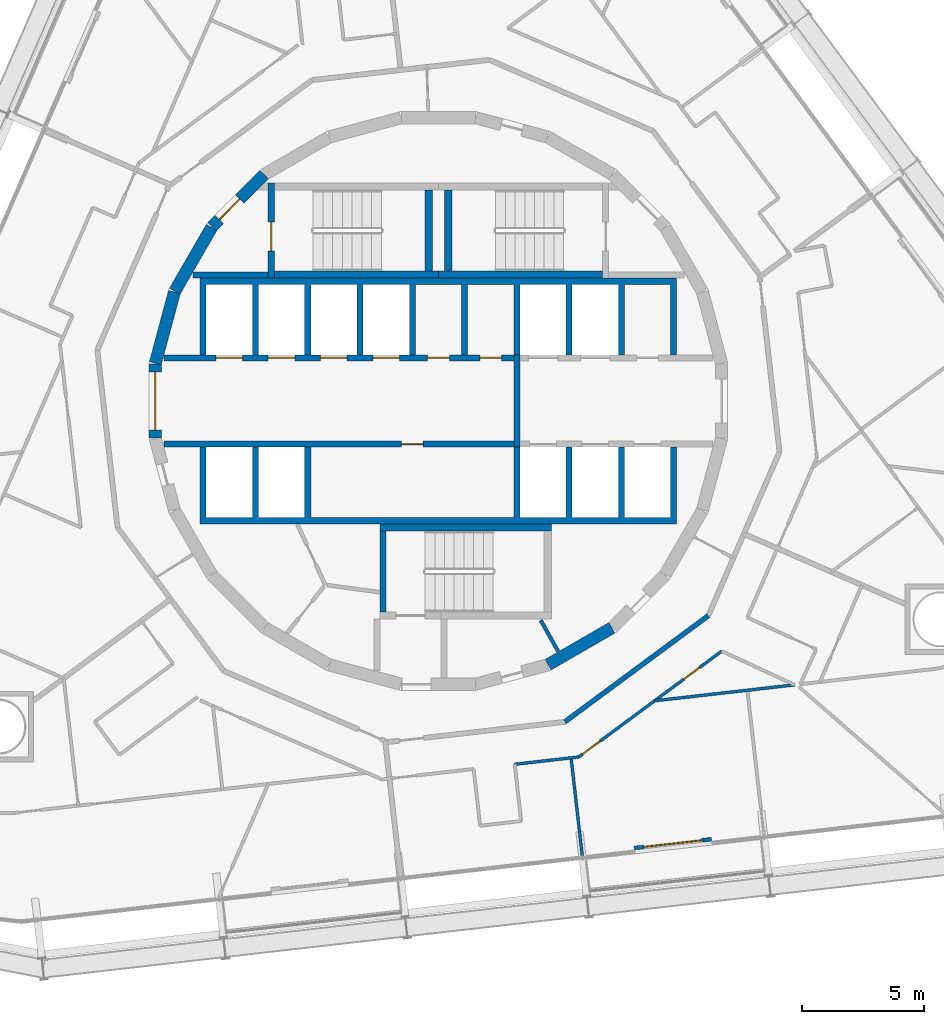
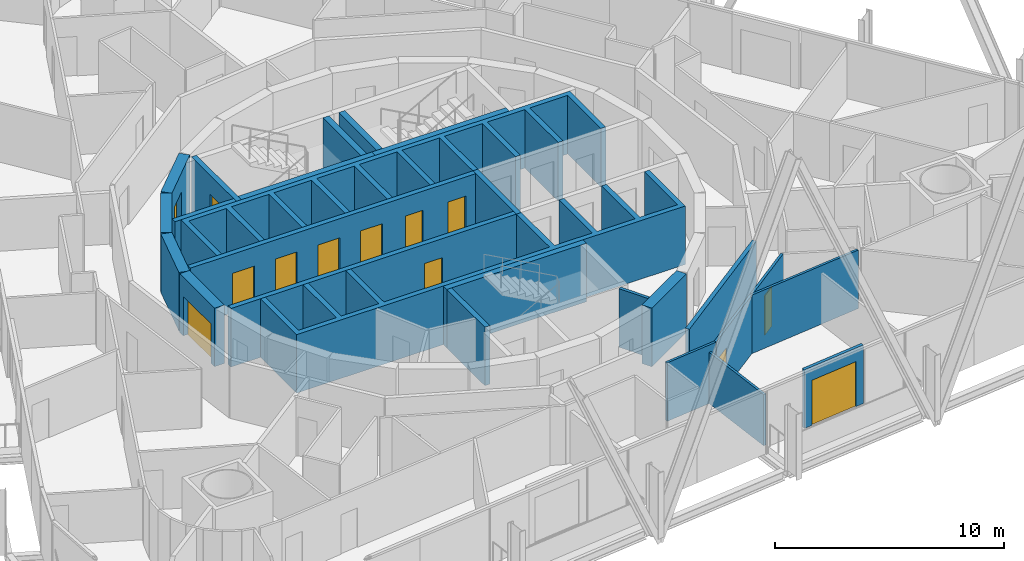
# One storey, part 18 of 23: 25 walls, 13 doors, 13 openings.
"""IFC4 building model written with IfcOpenShell, lengths in metres."""

from ifc_helpers import new_model, si_unit, direction, frame, frame_2d, origin, place, context, subcontext, project, spatial, polyline, rectangle, outline, extrude, material, layer, layer_set, type_object, element, fill, save


model = new_model("IFC4")

# Units and contexts
model_context = context("Model", 3, precision=1e-05, world=origin(), true_north=direction((0.0, 1.0)))
body_context = subcontext(model_context, "Body", "Model", "MODEL_VIEW")
ifc_project = project(units=[si_unit("LENGTHUNIT", "METRE"), si_unit("AREAUNIT", "SQUARE_METRE"), si_unit("VOLUMEUNIT", "CUBIC_METRE"), si_unit("PLANEANGLEUNIT", "RADIAN"), si_unit("MASSUNIT", "GRAM", prefix="KILO")], contexts=[model_context])

# Site, building, storey
site_placement = place(None, origin())
site = spatial("IfcSite", under=ifc_project, at=site_placement, CompositionType="ELEMENT")
building_placement = place(site_placement, origin())
building = spatial("IfcBuilding", under=site, at=building_placement, Name="Spindle Arch Residences", CompositionType="ELEMENT")
storey_placement = place(building_placement, frame((0.0, 0.0, 90.699951171875)))
storey = spatial("IfcBuildingStorey", under=building, at=storey_placement, Name="L21", CompositionType="ELEMENT", Elevation=90.699951171875)

# Wall
ifc_material_1 = material(Name="Concrete C50/60", Category="concrete")
ifc_layer_1 = layer(ifc_material_1, 0.5)
ifc_layer_set_1 = layer_set([ifc_layer_1], Name="Core outline wall 500")
wall_type_1 = type_object("IfcWallType", Name="Core outline wall 500", PredefinedType="SHEAR", material=ifc_layer_set_1)
wall_1_placement = place(storey_placement, frame((4.510498046875, -10.84521484375, 0.0), z_axis=(0.0, 0.0, 1.0), x_axis=(0.865975092491, 0.500087131594, 0.0)))
element("IfcWall", 1, at=wall_1_placement, inside=storey, type_object=wall_type_1, Name="Core outline wall 2", PredefinedType="SHEAR", context=body_context, shape_type="SweptSolid", body=[
    extrude(rectangle(XDim=3.03271484375, YDim=0.5, at=frame_2d((1.516357421875, 0.0))), origin(), (0.0, 0.0, 1.0), 3.1201171875),
])

# Wall, opening, door
wall_2_placement = place(storey_placement, frame((-7.163818359375, 9.30810546875, 0.0), z_axis=(0.0, 0.0, 1.0), x_axis=(-0.707106781187, -0.707106781187, 0.0)))
wall_2 = element("IfcWall", 2, at=wall_2_placement, inside=storey, type_object=wall_type_1, Name="Core outline wall 15", PredefinedType="SHEAR", context=body_context, shape_type="SweptSolid", body=[
    extrude(rectangle(XDim=3.032470703125, YDim=0.5, at=frame_2d((1.51611328125, 0.0))), origin(), (0.0, 0.0, 1.0), 3.1201171875),
])
opening_1_placement = place(wall_2_placement, frame((1.416259765625, 0.0, 0.0)))
opening_1 = element("IfcOpeningElement", 3, at=opening_1_placement, cuts=wall_2, Name="Opening R2B0-AD02", PredefinedType="OPENING", context=body_context, shape_type="SweptSolid", body=[
    extrude(rectangle(XDim=1.199951171875, YDim=2.10009765625, at=frame_2d((0.60009765625, 1.050048828125))), frame((0.0, 0.260009765625, 0.0), z_axis=(0.0, -1.0, 0.0), x_axis=(1.0, 0.0, 0.0)), (0.0, 0.0, 1.0), 0.52001953125),
])
ifc_material_2 = material(Name="Steel, fire-resisting door", Category="steel")
door_type_1 = type_object("IfcDoorType", Name="Stair airlock door 1200x2100", OperationType="SINGLE_SWING_LEFT", PredefinedType="DOOR", material=ifc_material_2)
door_1_placement = place(opening_1_placement, origin())
door_1 = element("IfcDoor", 4, at=door_1_placement, inside=storey, type_object=door_type_1, Name="Stair airlock door R2B0-AD02", OperationType="SINGLE_SWING_RIGHT", OverallHeight=2.10009765625, OverallWidth=1.199951171875, PredefinedType="DOOR", context=body_context, shape_type="SweptSolid", body=[
    extrude(rectangle(XDim=1.199951171875, YDim=2.10009765625, at=frame_2d((0.60009765625, 1.050048828125))), frame((0.0, 0.02490234375, 0.0), z_axis=(0.0, -1.0, 0.0), x_axis=(1.0, 0.0, 0.0)), (0.0, 0.0, 1.0), 0.050048828125),
])
fill(opening_1, door_1)

# Walls
for number, where, z_axis, x_axis, name in (
    (5, (-9.32861328125, 7.13671875, 0.0), (0.0, 0.0, 1.0), (-0.500087131594, -0.865975092491, 0.0), "Core outline wall 16"),
    (6, (-10.858154296875, 4.479248046875, 0.0), (0.0, 0.0, 1.0), (-0.258734743916, -0.965948410781, 0.0), "Core outline wall 17"),
):
    element("IfcWall", number, at=place(storey_placement, frame(where, z_axis=z_axis, x_axis=x_axis)), inside=storey, type_object=wall_type_1, Name=name, PredefinedType="SHEAR", context=body_context, shape_type="SweptSolid", body=[
        extrude(rectangle(XDim=3.03271484375, YDim=0.5, at=frame_2d((1.516357421875, 0.0))), origin(), (0.0, 0.0, 1.0), 3.1201171875),
    ])

# Wall, opening, door
wall_3_placement = place(storey_placement, frame((-11.647216796875, 1.516357421875, 0.0), z_axis=(0.0, 0.0, 1.0), x_axis=(0.0, -1.0, 0.0)))
wall_3 = element("IfcWall", 7, at=wall_3_placement, inside=storey, type_object=wall_type_1, Name="Core outline wall 18", PredefinedType="SHEAR", context=body_context, shape_type="SweptSolid", body=[
    extrude(rectangle(XDim=3.03271484375, YDim=0.5, at=frame_2d((1.516357421875, 0.0))), origin(), (0.0, 0.0, 1.0), 3.1201171875),
])
opening_2_placement = place(wall_3_placement, frame((0.31640625, 0.0, 0.0)))
opening_2 = element("IfcOpeningElement", 8, at=opening_2_placement, cuts=wall_3, Name="Opening R2B0-LE01", PredefinedType="OPENING", context=body_context, shape_type="SweptSolid", body=[
    extrude(rectangle(XDim=2.39990234375, YDim=2.10009765625, at=frame_2d((1.199951171875, 1.050048828125))), frame((0.0, 0.260009765625, 0.0), z_axis=(0.0, -1.0, 0.0), x_axis=(1.0, 0.0, 0.0)), (0.0, 0.0, 1.0), 0.52001953125),
])
ifc_material_3 = material(Name="Steel, fire-resisting door", Category="steel")
door_type_2 = type_object("IfcDoorType", Name="Lift lobby entrance door 2400x2100", OperationType="DOUBLE_DOOR_SINGLE_SWING", PredefinedType="DOOR", material=ifc_material_3)
door_2_placement = place(opening_2_placement, origin())
door_2 = element("IfcDoor", 9, at=door_2_placement, inside=storey, type_object=door_type_2, Name="Lift lobby entrance door R2B0-LE01", OperationType="DOUBLE_DOOR_SINGLE_SWING", OverallHeight=2.10009765625, OverallWidth=2.39990234375, PredefinedType="DOOR", context=body_context, shape_type="SweptSolid", body=[
    extrude(rectangle(XDim=2.39990234375, YDim=2.10009765625, at=frame_2d((1.199951171875, 1.050048828125))), frame((0.0, 0.02490234375, 0.0), z_axis=(0.0, -1.0, 0.0), x_axis=(1.0, 0.0, 0.0)), (0.0, 0.0, 1.0), 0.050048828125),
])
fill(opening_2, door_2)

# Walls
ifc_material_4 = material(Name="Calcium silicate block, plastered")
ifc_layer_2 = layer(ifc_material_4, 0.199951171875)
ifc_layer_set_2 = layer_set([ifc_layer_2], Name="Corridor wall 200")
wall_type_2 = type_object("IfcWallType", Name="Corridor wall 200", PredefinedType="STANDARD", material=ifc_layer_set_2)
wall_4_placement = place(storey_placement, frame((5.1982421875, -13.1962890625, 0.0), z_axis=(0.0, 0.0, 1.0), x_axis=(0.803869883159, 0.594805187394, 0.0)))
element("IfcWall", 10, at=wall_4_placement, inside=storey, type_object=wall_type_2, Name="Corridor wall R2B0-W015", PredefinedType="STANDARD", context=body_context, shape_type="SweptSolid", body=[
    extrude(rectangle(XDim=7.341796875, YDim=0.199951171875, at=frame_2d((3.6708984375, 0.0))), origin(), (0.0, 0.0, 1.0), 3.1201171875),
])
ifc_material_5 = material(Name="Concrete C40/50", Category="concrete")
ifc_layer_3 = layer(ifc_material_5, 0.25)
ifc_layer_set_3 = layer_set([ifc_layer_3], Name="Fire-lift lobby wall 250")
wall_type_3 = type_object("IfcWallType", Name="Fire-lift lobby wall 250", PredefinedType="SHEAR", material=ifc_layer_set_3)
wall_5_placement = place(storey_placement, frame((3.22509765625, -1.89990234375, 0.0), z_axis=(0.0, 0.0, 1.0), x_axis=(0.0, 1.0, 0.0)))
element("IfcWall", 11, at=wall_5_placement, inside=storey, type_object=wall_type_3, Name="Fire-fighting lobby partition", PredefinedType="SHEAR", context=body_context, shape_type="SweptSolid", body=[
    extrude(rectangle(XDim=3.7998046875, YDim=0.25, at=frame_2d((1.89990234375, 0.0))), origin(), (0.0, 0.0, 1.0), 3.1201171875),
])
ifc_material_6 = material(Name="Plasterboard on steel studs", Category="steel")
ifc_layer_4 = layer(ifc_material_6, 0.1201171875)
ifc_layer_set_4 = layer_set([ifc_layer_4], Name="Flat partition 120")
wall_type_4 = type_object("IfcWallType", Name="Flat partition 120", PredefinedType="PARTITIONING", material=ifc_layer_set_4)
wall_6_placement = place(storey_placement, frame((3.1376953125, -14.94091796875, 0.0), z_axis=(0.0, 0.0, 1.0), x_axis=(0.99356355736, 0.113276023437, 0.0)))
element("IfcWall", 12, at=wall_6_placement, inside=storey, type_object=wall_type_4, Name="Flat partition R2B0-W096", PredefinedType="PARTITIONING", context=body_context, shape_type="SweptSolid", body=[
    extrude(rectangle(XDim=2.646728515625, YDim=0.1201171875, at=frame_2d((1.3232421875, 0.0))), origin(), (0.0, 0.0, 1.0), 3.1201171875),
])

# Wall, openings, doors
wall_7_placement = place(storey_placement, frame((5.767333984375, -14.64111328125, 0.0), z_axis=(0.0, 0.0, 1.0), x_axis=(0.803867427863, 0.594808505673, 0.0)))
wall_7 = element("IfcWall", 13, at=wall_7_placement, inside=storey, type_object=wall_type_4, Name="Flat partition R2B0-W097", PredefinedType="PARTITIONING", context=body_context, shape_type="SweptSolid", body=[
    extrude(rectangle(XDim=7.31640625, YDim=0.1201171875, at=frame_2d((3.658203125, 0.0))), origin(), (0.0, 0.0, 1.0), 3.1201171875),
])
opening_3_placement = place(wall_7_placement, frame((0.199951171875, 0.0, 0.0)))
opening_3 = element("IfcOpeningElement", 14, at=opening_3_placement, cuts=wall_7, Name="Opening R2B0-ID26", PredefinedType="OPENING", context=body_context, shape_type="SweptSolid", body=[
    extrude(rectangle(XDim=0.89990234375, YDim=2.10009765625, at=frame_2d((0.449951171875, 1.050048828125))), frame((0.0, 0.070068359375, 0.0), z_axis=(0.0, -1.0, 0.0), x_axis=(1.0, 0.0, 0.0)), (0.0, 0.0, 1.0), 0.14013671875),
])
opening_4_placement = place(wall_7_placement, frame((5.385009765625, 0.0, 0.0)))
opening_4 = element("IfcOpeningElement", 15, at=opening_4_placement, cuts=wall_7, Name="Opening R2B0-BD05", PredefinedType="OPENING", context=body_context, shape_type="SweptSolid", body=[
    extrude(rectangle(XDim=0.800048828125, YDim=2.10009765625, at=frame_2d((0.39990234375, 1.050048828125))), frame((0.0, 0.070068359375, 0.0), z_axis=(0.0, -1.0, 0.0), x_axis=(1.0, 0.0, 0.0)), (0.0, 0.0, 1.0), 0.14013671875),
])
ifc_material_7 = material(Name="Timber door set", Category="wood")
door_type_3 = type_object("IfcDoorType", Name="Bathroom door 800x2100", OperationType="NOTDEFINED", PredefinedType="DOOR", material=ifc_material_7)
door_3_placement = place(opening_4_placement, origin())
door_3 = element("IfcDoor", 16, at=door_3_placement, inside=storey, type_object=door_type_3, Name="Bathroom door R2B0-BD05", OperationType="SINGLE_SWING_RIGHT", OverallHeight=2.10009765625, OverallWidth=0.800048828125, PredefinedType="DOOR", context=body_context, shape_type="SweptSolid", body=[
    extrude(rectangle(XDim=0.800048828125, YDim=2.10009765625, at=frame_2d((0.39990234375, 1.050048828125))), frame((0.0, 0.02490234375, 0.0), z_axis=(0.0, -1.0, 0.0), x_axis=(1.0, 0.0, 0.0)), (0.0, 0.0, 1.0), 0.050048828125),
])
fill(opening_4, door_3)
ifc_material_8 = material(Name="Timber door set", Category="wood")
door_type_4 = type_object("IfcDoorType", Name="Room door 900x2100", OperationType="NOTDEFINED", PredefinedType="DOOR", material=ifc_material_8)
door_4_placement = place(opening_3_placement, origin())
door_4 = element("IfcDoor", 17, at=door_4_placement, inside=storey, type_object=door_type_4, Name="Room door R2B0-ID26", OperationType="SINGLE_SWING_RIGHT", OverallHeight=2.10009765625, OverallWidth=0.89990234375, PredefinedType="DOOR", context=body_context, shape_type="SweptSolid", body=[
    extrude(rectangle(XDim=0.89990234375, YDim=2.10009765625, at=frame_2d((0.449951171875, 1.050048828125))), frame((0.0, 0.02490234375, 0.0), z_axis=(0.0, -1.0, 0.0), x_axis=(1.0, 0.0, 0.0)), (0.0, 0.0, 1.0), 0.050048828125),
])
fill(opening_3, door_4)

# Walls
wall_8_placement = place(storey_placement, frame((14.64892578125, -11.67431640625, 0.0), z_axis=(0.0, 0.0, 1.0), x_axis=(-0.993573746873, -0.113186613721, 0.0)))
element("IfcWall", 18, at=wall_8_placement, inside=storey, type_object=wall_type_4, Name="Flat partition R2B0-W103", PredefinedType="PARTITIONING", context=body_context, shape_type="SweptSolid", body=[
    extrude(rectangle(XDim=5.7958984375, YDim=0.1201171875, at=frame_2d((2.89794921875, 0.0))), origin(), (0.0, 0.0, 1.0), 3.1201171875),
])
ifc_material_9 = material(Name="Plasterboard on steel studs", Category="steel")
ifc_layer_5 = layer(ifc_material_9, 0.1201171875)
ifc_layer_set_5 = layer_set([ifc_layer_5], Name="Flat partition 120 under beam 2730")
wall_type_5 = type_object("IfcWallType", Name="Flat partition 120 under beam 2730", PredefinedType="PARTITIONING", material=ifc_layer_set_5)
wall_9_placement = place(storey_placement, frame((5.915283203125, -18.7080078125, 0.0), z_axis=(0.0, 0.0, 1.0), x_axis=(-0.113244511591, 0.993567149515, 0.0)))
element("IfcWall", 19, at=wall_9_placement, inside=storey, type_object=wall_type_5, Name="Flat partition R2B0-W102", PredefinedType="PARTITIONING", context=body_context, shape_type="SweptSolid", body=[
    extrude(rectangle(XDim=4.057373046875, YDim=0.1201171875, at=frame_2d((2.02880859375, 0.0))), origin(), (0.0, 0.0, 1.0), 2.72998046875),
])

# Wall, opening, door
ifc_material_10 = material(Name="Non-combustible mineral wool insulated aluminium faced external wall (K0)", Category="aluminium")
ifc_layer_6 = layer(ifc_material_10, 0.159912109375)
ifc_layer_set_6 = layer_set([ifc_layer_6], Name="Insulated external wall panel 160")
wall_type_6 = type_object("IfcWallType", Name="Insulated external wall panel 160", PredefinedType="STANDARD", material=ifc_layer_set_6)
wall_10_placement = place(storey_placement, frame((8.0517578125, -18.38427734375, 0.0), z_axis=(0.0, 0.0, 1.0), x_axis=(0.993569997097, 0.113219525124, 0.0)))
wall_10 = element("IfcWall", 20, at=wall_10_placement, inside=storey, type_object=wall_type_6, Name="External wall L21 bay 1", PredefinedType="STANDARD", context=body_context, shape_type="SweptSolid", body=[
    extrude(rectangle(XDim=3.199951171875, YDim=0.159912109375, at=frame_2d((1.60009765625, 0.0))), origin(), (0.0, 0.0, 1.0), 3.1201171875),
])
opening_5_placement = place(wall_10_placement, frame((0.39990234375, 0.0, 0.0)))
opening_5 = element("IfcOpeningElement", 21, at=opening_5_placement, cuts=wall_10, Name="Opening BD01", PredefinedType="OPENING", context=body_context, shape_type="SweptSolid", body=[
    extrude(rectangle(XDim=2.39990234375, YDim=2.39990234375, at=frame_2d((1.199951171875, 1.199951171875))), frame((0.0, 0.08984375, 0.0), z_axis=(0.0, -1.0, 0.0), x_axis=(1.0, 0.0, 0.0)), (0.0, 0.0, 1.0), 0.179931640625),
])
ifc_material_11 = material(Name="Bronze aluminium frame, tinted double glazing", Category="aluminium")
door_type_5 = type_object("IfcDoorType", Name="Sliding glazed balcony door 2400x2400", OperationType="DOUBLE_DOOR_SLIDING", PredefinedType="DOOR", material=ifc_material_11)
door_5_placement = place(opening_5_placement, origin())
door_5 = element("IfcDoor", 22, at=door_5_placement, inside=storey, type_object=door_type_5, Name="Balcony door BD01", OperationType="DOUBLE_DOOR_SLIDING", OverallHeight=2.39990234375, OverallWidth=2.39990234375, PredefinedType="DOOR", context=body_context, shape_type="SweptSolid", body=[
    extrude(rectangle(XDim=2.39990234375, YDim=2.39990234375, at=frame_2d((1.199951171875, 1.199951171875))), frame((0.0, 0.02490234375, 0.0), z_axis=(0.0, -1.0, 0.0), x_axis=(1.0, 0.0, 0.0)), (0.0, 0.0, 1.0), 0.050048828125),
])
fill(opening_5, door_5)

# Wall, openings, doors
ifc_material_12 = material(Name="Concrete C50/60", Category="concrete")
ifc_layer_7 = layer(ifc_material_12, 0.25)
ifc_layer_set_7 = layer_set([ifc_layer_7], Name="Lift shaft wall 250")
wall_type_7 = type_object("IfcWallType", Name="Lift shaft wall 250", PredefinedType="SHEAR", material=ifc_layer_set_7)
wall_11_placement = place(storey_placement, frame((-11.280029296875, 1.77490234375, 0.0), z_axis=(0.0, 0.0, 1.0), x_axis=(1.0, 0.0, 0.0)))
wall_11 = element("IfcWall", 23, at=wall_11_placement, inside=storey, type_object=wall_type_7, Name="Lift shaft front wall NW", PredefinedType="SHEAR", context=body_context, shape_type="SweptSolid", body=[
    extrude(rectangle(XDim=14.380126953125, YDim=0.25, at=frame_2d((7.18994140625, 0.0))), origin(), (0.0, 0.0, 1.0), 3.1201171875),
])
opening_6_placement = place(wall_11_placement, frame((2.1298828125, 0.0, 0.0)))
opening_6 = element("IfcOpeningElement", 24, at=opening_6_placement, cuts=wall_11, Name="Opening R2B0-LD01", PredefinedType="OPENING", context=body_context, shape_type="SweptSolid", body=[
    extrude(rectangle(XDim=1.10009765625, YDim=2.10009765625, at=frame_2d((0.550048828125, 1.050048828125))), frame((0.0, 0.135009765625, 0.0), z_axis=(0.0, -1.0, 0.0), x_axis=(1.0, 0.0, 0.0)), (0.0, 0.0, 1.0), 0.27001953125),
])
opening_7_placement = place(wall_11_placement, frame((4.280029296875, 0.0, 0.0)))
opening_7 = element("IfcOpeningElement", 25, at=opening_7_placement, cuts=wall_11, Name="Opening R2B0-LD02", PredefinedType="OPENING", context=body_context, shape_type="SweptSolid", body=[
    extrude(rectangle(XDim=1.10009765625, YDim=2.10009765625, at=frame_2d((0.550048828125, 1.050048828125))), frame((0.0, 0.135009765625, 0.0), z_axis=(0.0, -1.0, 0.0), x_axis=(1.0, 0.0, 0.0)), (0.0, 0.0, 1.0), 0.27001953125),
])
opening_8_placement = place(wall_11_placement, frame((6.429931640625, 0.0, 0.0)))
opening_8 = element("IfcOpeningElement", 26, at=opening_8_placement, cuts=wall_11, Name="Opening R2B0-LD03", PredefinedType="OPENING", context=body_context, shape_type="SweptSolid", body=[
    extrude(rectangle(XDim=1.10009765625, YDim=2.10009765625, at=frame_2d((0.550048828125, 1.050048828125))), frame((0.0, 0.135009765625, 0.0), z_axis=(0.0, -1.0, 0.0), x_axis=(1.0, 0.0, 0.0)), (0.0, 0.0, 1.0), 0.27001953125),
])
opening_9_placement = place(wall_11_placement, frame((8.580078125, 0.0, 0.0)))
opening_9 = element("IfcOpeningElement", 27, at=opening_9_placement, cuts=wall_11, Name="Opening R2B0-LD04", PredefinedType="OPENING", context=body_context, shape_type="SweptSolid", body=[
    extrude(rectangle(XDim=1.10009765625, YDim=2.10009765625, at=frame_2d((0.550048828125, 1.050048828125))), frame((0.0, 0.135009765625, 0.0), z_axis=(0.0, -1.0, 0.0), x_axis=(1.0, 0.0, 0.0)), (0.0, 0.0, 1.0), 0.27001953125),
])
opening_10_placement = place(wall_11_placement, frame((10.830078125, 0.0, 0.0)))
opening_10 = element("IfcOpeningElement", 28, at=opening_10_placement, cuts=wall_11, Name="Opening R2B0-WD01", PredefinedType="OPENING", context=body_context, shape_type="SweptSolid", body=[
    extrude(rectangle(XDim=0.89990234375, YDim=2.10009765625, at=frame_2d((0.449951171875, 1.050048828125))), frame((0.0, 0.135009765625, 0.0), z_axis=(0.0, -1.0, 0.0), x_axis=(1.0, 0.0, 0.0)), (0.0, 0.0, 1.0), 0.27001953125),
])
opening_11_placement = place(wall_11_placement, frame((12.97998046875, 0.0, 0.0)))
opening_11 = element("IfcOpeningElement", 29, at=opening_11_placement, cuts=wall_11, Name="Opening R2B0-WD02", PredefinedType="OPENING", context=body_context, shape_type="SweptSolid", body=[
    extrude(rectangle(XDim=0.89990234375, YDim=2.10009765625, at=frame_2d((0.449951171875, 1.050048828125))), frame((0.0, 0.135009765625, 0.0), z_axis=(0.0, -1.0, 0.0), x_axis=(1.0, 0.0, 0.0)), (0.0, 0.0, 1.0), 0.27001953125),
])
ifc_material_13 = material(Name="Steel, fire-resisting landing door", Category="steel")
door_type_6 = type_object("IfcDoorType", Name="Lift landing door 1100x2100", OperationType="DOUBLE_DOOR_SLIDING", PredefinedType="DOOR", material=ifc_material_13)
door_6_placement = place(opening_6_placement, origin())
door_6 = element("IfcDoor", 30, at=door_6_placement, inside=storey, type_object=door_type_6, Name="Lift landing door R2B0-LD01", OperationType="DOUBLE_DOOR_SLIDING", OverallHeight=2.10009765625, OverallWidth=1.10009765625, PredefinedType="DOOR", context=body_context, shape_type="SweptSolid", body=[
    extrude(rectangle(XDim=1.10009765625, YDim=2.10009765625, at=frame_2d((0.550048828125, 1.050048828125))), frame((0.0, 0.02490234375, 0.0), z_axis=(0.0, -1.0, 0.0), x_axis=(1.0, 0.0, 0.0)), (0.0, 0.0, 1.0), 0.050048828125),
])
fill(opening_6, door_6)
door_7_placement = place(opening_7_placement, origin())
door_7 = element("IfcDoor", 31, at=door_7_placement, inside=storey, type_object=door_type_6, Name="Lift landing door R2B0-LD02", OperationType="DOUBLE_DOOR_SLIDING", OverallHeight=2.10009765625, OverallWidth=1.10009765625, PredefinedType="DOOR", context=body_context, shape_type="SweptSolid", body=[
    extrude(rectangle(XDim=1.10009765625, YDim=2.10009765625, at=frame_2d((0.550048828125, 1.050048828125))), frame((0.0, 0.02490234375, 0.0), z_axis=(0.0, -1.0, 0.0), x_axis=(1.0, 0.0, 0.0)), (0.0, 0.0, 1.0), 0.050048828125),
])
fill(opening_7, door_7)
door_8_placement = place(opening_8_placement, origin())
door_8 = element("IfcDoor", 32, at=door_8_placement, inside=storey, type_object=door_type_6, Name="Lift landing door R2B0-LD03", OperationType="DOUBLE_DOOR_SLIDING", OverallHeight=2.10009765625, OverallWidth=1.10009765625, PredefinedType="DOOR", context=body_context, shape_type="SweptSolid", body=[
    extrude(rectangle(XDim=1.10009765625, YDim=2.10009765625, at=frame_2d((0.550048828125, 1.050048828125))), frame((0.0, 0.02490234375, 0.0), z_axis=(0.0, -1.0, 0.0), x_axis=(1.0, 0.0, 0.0)), (0.0, 0.0, 1.0), 0.050048828125),
])
fill(opening_8, door_8)
door_9_placement = place(opening_9_placement, origin())
door_9 = element("IfcDoor", 33, at=door_9_placement, inside=storey, type_object=door_type_6, Name="Lift landing door R2B0-LD04", OperationType="DOUBLE_DOOR_SLIDING", OverallHeight=2.10009765625, OverallWidth=1.10009765625, PredefinedType="DOOR", context=body_context, shape_type="SweptSolid", body=[
    extrude(rectangle(XDim=1.10009765625, YDim=2.10009765625, at=frame_2d((0.550048828125, 1.050048828125))), frame((0.0, 0.02490234375, 0.0), z_axis=(0.0, -1.0, 0.0), x_axis=(1.0, 0.0, 0.0)), (0.0, 0.0, 1.0), 0.050048828125),
])
fill(opening_9, door_9)
ifc_material_14 = material(Name="Steel, fire-resisting door", Category="steel")
door_type_7 = type_object("IfcDoorType", Name="Service room door 900x2100", OperationType="SINGLE_SWING_LEFT", PredefinedType="DOOR", material=ifc_material_14)
door_10_placement = place(opening_10_placement, origin())
door_10 = element("IfcDoor", 34, at=door_10_placement, inside=storey, type_object=door_type_7, Name="Service room door R2B0-WD01", OperationType="SINGLE_SWING_RIGHT", OverallHeight=2.10009765625, OverallWidth=0.89990234375, PredefinedType="DOOR", context=body_context, shape_type="SweptSolid", body=[
    extrude(rectangle(XDim=0.89990234375, YDim=2.10009765625, at=frame_2d((0.449951171875, 1.050048828125))), frame((0.0, 0.02490234375, 0.0), z_axis=(0.0, -1.0, 0.0), x_axis=(1.0, 0.0, 0.0)), (0.0, 0.0, 1.0), 0.050048828125),
])
fill(opening_10, door_10)
door_11_placement = place(opening_11_placement, origin())
door_11 = element("IfcDoor", 35, at=door_11_placement, inside=storey, type_object=door_type_7, Name="Service room door R2B0-WD02", OperationType="SINGLE_SWING_LEFT", OverallHeight=2.10009765625, OverallWidth=0.89990234375, PredefinedType="DOOR", context=body_context, shape_type="SweptSolid", body=[
    extrude(rectangle(XDim=0.89990234375, YDim=2.10009765625, at=frame_2d((0.449951171875, 1.050048828125))), frame((0.0, 0.02490234375, 0.0), z_axis=(0.0, -1.0, 0.0), x_axis=(1.0, 0.0, 0.0)), (0.0, 0.0, 1.0), 0.050048828125),
])
fill(opening_11, door_11)

# Wall, opening, door
wall_12_placement = place(storey_placement, frame((-11.280029296875, -1.77490234375, 0.0), z_axis=(0.0, 0.0, 1.0), x_axis=(1.0, 0.0, 0.0)))
wall_12 = element("IfcWall", 36, at=wall_12_placement, inside=storey, type_object=wall_type_7, Name="Lift shaft front wall SW", PredefinedType="SHEAR", context=body_context, shape_type="SweptSolid", body=[
    extrude(rectangle(XDim=14.380126953125, YDim=0.25, at=frame_2d((7.18994140625, 0.0))), origin(), (0.0, 0.0, 1.0), 3.1201171875),
])
opening_12_placement = place(wall_12_placement, frame((9.7548828125, 0.0, 0.0)))
opening_12 = element("IfcOpeningElement", 37, at=opening_12_placement, cuts=wall_12, Name="Opening R2B0-WD04", PredefinedType="OPENING", context=body_context, shape_type="SweptSolid", body=[
    extrude(rectangle(XDim=0.89990234375, YDim=2.10009765625, at=frame_2d((0.449951171875, 1.050048828125))), frame((0.0, 0.135009765625, 0.0), z_axis=(0.0, -1.0, 0.0), x_axis=(1.0, 0.0, 0.0)), (0.0, 0.0, 1.0), 0.27001953125),
])
door_12_placement = place(opening_12_placement, origin())
door_12 = element("IfcDoor", 38, at=door_12_placement, inside=storey, type_object=door_type_7, Name="Service room door R2B0-WD04", OperationType="SINGLE_SWING_LEFT", OverallHeight=2.10009765625, OverallWidth=0.89990234375, PredefinedType="DOOR", context=body_context, shape_type="SweptSolid", body=[
    extrude(rectangle(XDim=0.89990234375, YDim=2.10009765625, at=frame_2d((0.449951171875, 1.050048828125))), frame((0.0, 0.02490234375, 0.0), z_axis=(0.0, -1.0, 0.0), x_axis=(1.0, 0.0, 0.0)), (0.0, 0.0, 1.0), 0.050048828125),
])
fill(opening_12, door_12)

# Walls
ifc_material_15 = material(Name="Concrete C50/60", Category="concrete")
wall_type_8 = type_object("IfcWallType", Name="Lift shaft wall profile", PredefinedType="SHEAR", material=ifc_material_15)
wall_13_placement = place(storey_placement, origin())
element("IfcWall", 39, at=wall_13_placement, inside=storey, type_object=wall_type_8, Name="Lift shaft walls N", PredefinedType="SHEAR", context=body_context, shape_type="SweptSolid", body=[
    extrude(outline(polyline([(-9.550048828125, 4.800048828125), (-7.64990234375, 4.800048828125), (-7.64990234375, 1.89990234375), (-7.39990234375, 1.89990234375), (-7.39990234375, 4.800048828125), (-5.5, 4.800048828125), (-5.5, 1.89990234375), (-5.25, 1.89990234375), (-5.25, 4.800048828125), (-3.35009765625, 4.800048828125), (-3.35009765625, 1.89990234375), (-3.10009765625, 1.89990234375), (-3.10009765625, 4.800048828125), (-1.199951171875, 4.800048828125), (-1.199951171875, 1.89990234375), (-0.949951171875, 1.89990234375), (-0.949951171875, 4.800048828125), (0.949951171875, 4.800048828125), (0.949951171875, 1.89990234375), (1.199951171875, 1.89990234375), (1.199951171875, 4.800048828125), (3.10009765625, 4.800048828125), (3.10009765625, 1.89990234375), (3.35009765625, 1.89990234375), (3.35009765625, 4.800048828125), (5.25, 4.800048828125), (5.25, 1.89990234375), (5.5, 1.89990234375), (5.5, 4.800048828125), (7.39990234375, 4.800048828125), (7.39990234375, 1.89990234375), (7.64990234375, 1.89990234375), (7.64990234375, 4.800048828125), (9.550048828125, 4.800048828125), (9.550048828125, 1.89990234375), (9.800048828125, 1.89990234375), (9.800048828125, 4.800048828125), (9.800048828125, 5.050048828125), (-9.800048828125, 5.050048828125), (-9.800048828125, 4.800048828125), (-9.800048828125, 1.89990234375), (-9.550048828125, 1.89990234375), (-9.550048828125, 4.800048828125)])), origin(), (0.0, 0.0, 1.0), 3.1201171875),
])
wall_14_placement = place(storey_placement, origin())
element("IfcWall", 40, at=wall_14_placement, inside=storey, type_object=wall_type_8, Name="Lift shaft walls S", PredefinedType="SHEAR", context=body_context, shape_type="SweptSolid", body=[
    extrude(outline(polyline([(9.800048828125, -5.050048828125), (9.800048828125, -4.800048828125), (9.800048828125, -1.89990234375), (9.550048828125, -1.89990234375), (9.550048828125, -4.800048828125), (7.64990234375, -4.800048828125), (7.64990234375, -1.89990234375), (7.39990234375, -1.89990234375), (7.39990234375, -4.800048828125), (5.5, -4.800048828125), (5.5, -1.89990234375), (5.25, -1.89990234375), (5.25, -4.800048828125), (3.35009765625, -4.800048828125), (3.35009765625, -1.89990234375), (3.10009765625, -1.89990234375), (3.10009765625, -4.800048828125), (-5.25, -4.800048828125), (-5.25, -1.89990234375), (-5.5, -1.89990234375), (-5.5, -4.800048828125), (-7.39990234375, -4.800048828125), (-7.39990234375, -1.89990234375), (-7.64990234375, -1.89990234375), (-7.64990234375, -4.800048828125), (-9.550048828125, -4.800048828125), (-9.550048828125, -1.89990234375), (-9.800048828125, -1.89990234375), (-9.800048828125, -4.800048828125), (-9.800048828125, -5.050048828125), (9.800048828125, -5.050048828125)])), origin(), (0.0, 0.0, 1.0), 3.1201171875),
])
ifc_material_16 = material(Name="Concrete C25/30", Category="concrete")
ifc_layer_8 = layer(ifc_material_16, 0.14990234375)
ifc_layer_set_8 = layer_set([ifc_layer_8], Name="Service room partition 150")
wall_type_9 = type_object("IfcWallType", Name="Service room partition 150", PredefinedType="PARTITIONING", material=ifc_layer_set_8)
wall_15_placement = place(storey_placement, frame((4.922119140625, -10.295654296875, 0.0), z_axis=(0.0, 0.0, 1.0), x_axis=(-0.48860846254, 0.872503163509, 0.0)))
element("IfcWall", 41, at=wall_15_placement, inside=storey, type_object=wall_type_9, Name="Core service room partition", PredefinedType="PARTITIONING", context=body_context, shape_type="SweptSolid", body=[
    extrude(rectangle(XDim=1.45947265625, YDim=0.14990234375, at=frame_2d((0.729736328125, 0.0))), origin(), (0.0, 0.0, 1.0), 3.1201171875),
])
ifc_material_17 = material(Name="Concrete C40/50", Category="concrete")
ifc_layer_9 = layer(ifc_material_17, 0.25)
ifc_layer_set_9 = layer_set([ifc_layer_9], Name="Stair airlock wall 250")
wall_type_10 = type_object("IfcWallType", Name="Stair airlock wall 250", PredefinedType="SHEAR", material=ifc_layer_set_9)
wall_16_placement = place(storey_placement, frame((-7.0, 5.175048828125, 0.0), z_axis=(0.0, 0.0, 1.0), x_axis=(-1.0, 0.0, 0.0)))
element("IfcWall", 42, at=wall_16_placement, inside=storey, type_object=wall_type_10, Name="Stair ST-2 airlock wall S", PredefinedType="SHEAR", context=body_context, shape_type="SweptSolid", body=[
    extrude(rectangle(XDim=3.10009765625, YDim=0.25, at=frame_2d((1.550048828125, 0.0))), origin(), (0.0, 0.0, 1.0), 3.1201171875),
])

# Wall, opening, door
ifc_material_18 = material(Name="Concrete C50/60", Category="concrete")
ifc_layer_10 = layer(ifc_material_18, 0.25)
ifc_layer_set_10 = layer_set([ifc_layer_10], Name="Stair enclosure wall 250")
wall_type_11 = type_object("IfcWallType", Name="Stair enclosure wall 250", PredefinedType="SHEAR", material=ifc_layer_set_10)
wall_17_placement = place(storey_placement, frame((-6.875, 8.969970703125, 0.0), z_axis=(0.0, 0.0, 1.0), x_axis=(0.0, -1.0, 0.0)))
wall_17 = element("IfcWall", 43, at=wall_17_placement, inside=storey, type_object=wall_type_11, Name="Stair ST-2 door wall", PredefinedType="SHEAR", context=body_context, shape_type="SweptSolid", body=[
    extrude(rectangle(XDim=3.919921875, YDim=0.25, at=frame_2d((1.9599609375, 0.0))), origin(), (0.0, 0.0, 1.0), 3.1201171875),
])
opening_13_placement = place(wall_17_placement, frame((1.610107421875, 0.0, 0.0)))
opening_13 = element("IfcOpeningElement", 44, at=opening_13_placement, cuts=wall_17, Name="Opening R2B0-SD02", PredefinedType="OPENING", context=body_context, shape_type="SweptSolid", body=[
    extrude(rectangle(XDim=1.199951171875, YDim=2.10009765625, at=frame_2d((0.60009765625, 1.050048828125))), frame((0.0, 0.135009765625, 0.0), z_axis=(0.0, -1.0, 0.0), x_axis=(1.0, 0.0, 0.0)), (0.0, 0.0, 1.0), 0.27001953125),
])
ifc_material_19 = material(Name="Steel, fire-resisting door", Category="steel")
door_type_8 = type_object("IfcDoorType", Name="Stair door 1200x2100", OperationType="SINGLE_SWING_RIGHT", PredefinedType="DOOR", material=ifc_material_19)
door_13_placement = place(opening_13_placement, origin())
door_13 = element("IfcDoor", 45, at=door_13_placement, inside=storey, type_object=door_type_8, Name="Stair door R2B0-SD02", OperationType="SINGLE_SWING_LEFT", OverallHeight=2.10009765625, OverallWidth=1.199951171875, PredefinedType="DOOR", context=body_context, shape_type="SweptSolid", body=[
    extrude(rectangle(XDim=1.199951171875, YDim=2.10009765625, at=frame_2d((0.60009765625, 1.050048828125))), frame((0.0, 0.02490234375, 0.0), z_axis=(0.0, -1.0, 0.0), x_axis=(1.0, 0.0, 0.0)), (0.0, 0.0, 1.0), 0.050048828125),
])
fill(opening_13, door_13)

# Walls
wall_18_placement = place(storey_placement, frame((-2.27490234375, -8.669921875, 0.0), z_axis=(0.0, 0.0, 1.0), x_axis=(0.0, 1.0, 0.0)))
element("IfcWall", 46, at=wall_18_placement, inside=storey, type_object=wall_type_11, Name="Stair ST-3 enclosure wall W", PredefinedType="SHEAR", context=body_context, shape_type="SweptSolid", body=[
    extrude(rectangle(XDim=3.31982421875, YDim=0.25, at=frame_2d((1.659912109375, 0.0))), origin(), (0.0, 0.0, 1.0), 3.1201171875),
])
ifc_material_20 = material(Name="Concrete C50/60", Category="concrete")
ifc_layer_11 = layer(ifc_material_20, 0.300048828125)
ifc_layer_set_11 = layer_set([ifc_layer_11], Name="Stair enclosure wall 300")
wall_type_12 = type_object("IfcWallType", Name="Stair enclosure wall 300", PredefinedType="SHEAR", material=ifc_layer_set_11)
wall_19_placement = place(storey_placement, frame((0.0, 5.199951171875, 0.0), z_axis=(0.0, 0.0, 1.0), x_axis=(1.0, 0.0, 0.0)))
element("IfcWall", 47, at=wall_19_placement, inside=storey, type_object=wall_type_12, Name="Stair ST-1 enclosure wall S", PredefinedType="SHEAR", context=body_context, shape_type="SweptSolid", body=[
    extrude(rectangle(XDim=6.75, YDim=0.300048828125, at=frame_2d((3.375, 0.0))), origin(), (0.0, 0.0, 1.0), 3.1201171875),
])
wall_20_placement = place(storey_placement, frame((0.39990234375, 5.35009765625, 0.0), z_axis=(0.0, 0.0, 1.0), x_axis=(0.0, 1.0, 0.0)))
element("IfcWall", 48, at=wall_20_placement, inside=storey, type_object=wall_type_12, Name="Stair ST-1 enclosure wall F", PredefinedType="SHEAR", context=body_context, shape_type="SweptSolid", body=[
    extrude(rectangle(XDim=3.31982421875, YDim=0.300048828125, at=frame_2d((1.659912109375, 0.0))), origin(), (0.0, 0.0, 1.0), 3.1201171875),
])
wall_21_placement = place(storey_placement, frame((-6.75, 5.199951171875, 0.0), z_axis=(0.0, 0.0, 1.0), x_axis=(1.0, 0.0, 0.0)))
element("IfcWall", 49, at=wall_21_placement, inside=storey, type_object=wall_type_12, Name="Stair ST-2 enclosure wall S", PredefinedType="SHEAR", context=body_context, shape_type="SweptSolid", body=[
    extrude(rectangle(XDim=6.75, YDim=0.300048828125, at=frame_2d((3.375, 0.0))), origin(), (0.0, 0.0, 1.0), 3.1201171875),
])
wall_22_placement = place(storey_placement, frame((-0.39990234375, 5.35009765625, 0.0), z_axis=(0.0, 0.0, 1.0), x_axis=(0.0, 1.0, 0.0)))
element("IfcWall", 50, at=wall_22_placement, inside=storey, type_object=wall_type_12, Name="Stair ST-2 enclosure wall F", PredefinedType="SHEAR", context=body_context, shape_type="SweptSolid", body=[
    extrude(rectangle(XDim=3.31982421875, YDim=0.300048828125, at=frame_2d((1.659912109375, 0.0))), origin(), (0.0, 0.0, 1.0), 3.1201171875),
])
wall_23_placement = place(storey_placement, frame((-2.39990234375, -5.199951171875, 0.0), z_axis=(0.0, 0.0, 1.0), x_axis=(1.0, 0.0, 0.0)))
element("IfcWall", 51, at=wall_23_placement, inside=storey, type_object=wall_type_12, Name="Stair ST-3 enclosure wall N", PredefinedType="SHEAR", context=body_context, shape_type="SweptSolid", body=[
    extrude(rectangle(XDim=7.0498046875, YDim=0.300048828125, at=frame_2d((3.52490234375, 0.0))), origin(), (0.0, 0.0, 1.0), 3.1201171875),
])

save(model, "model.ifc")
